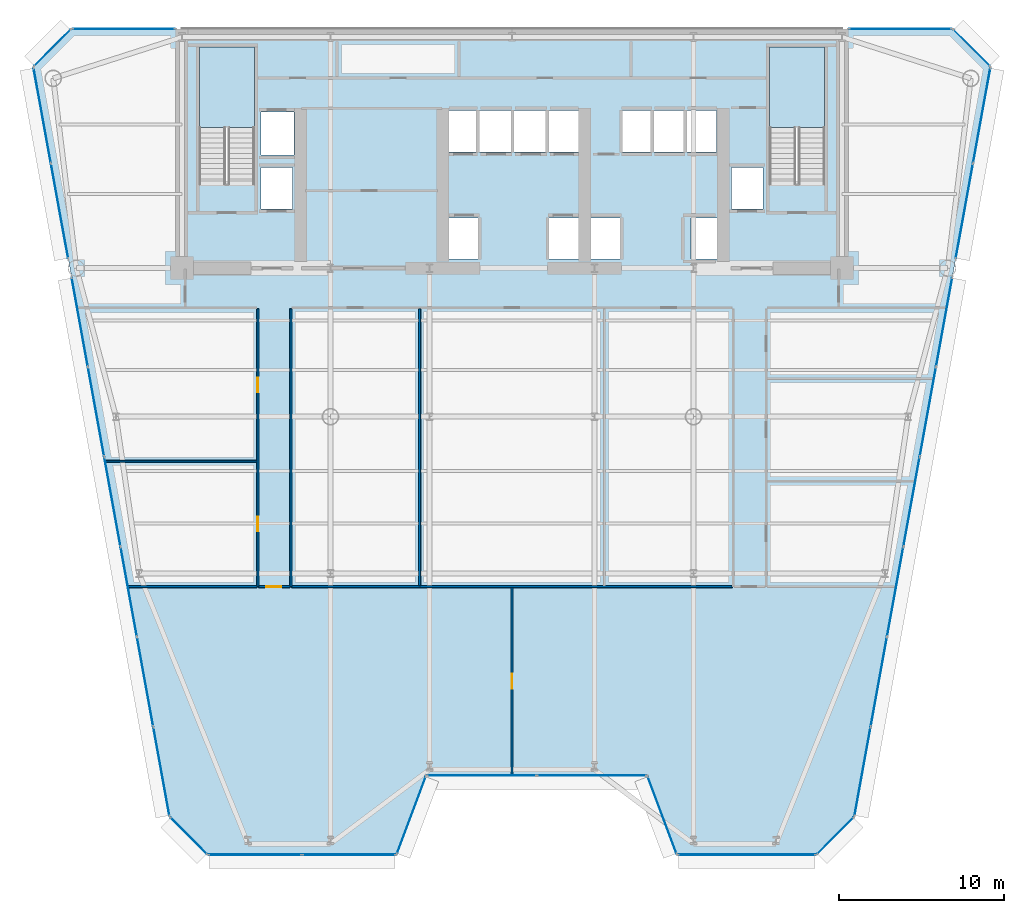
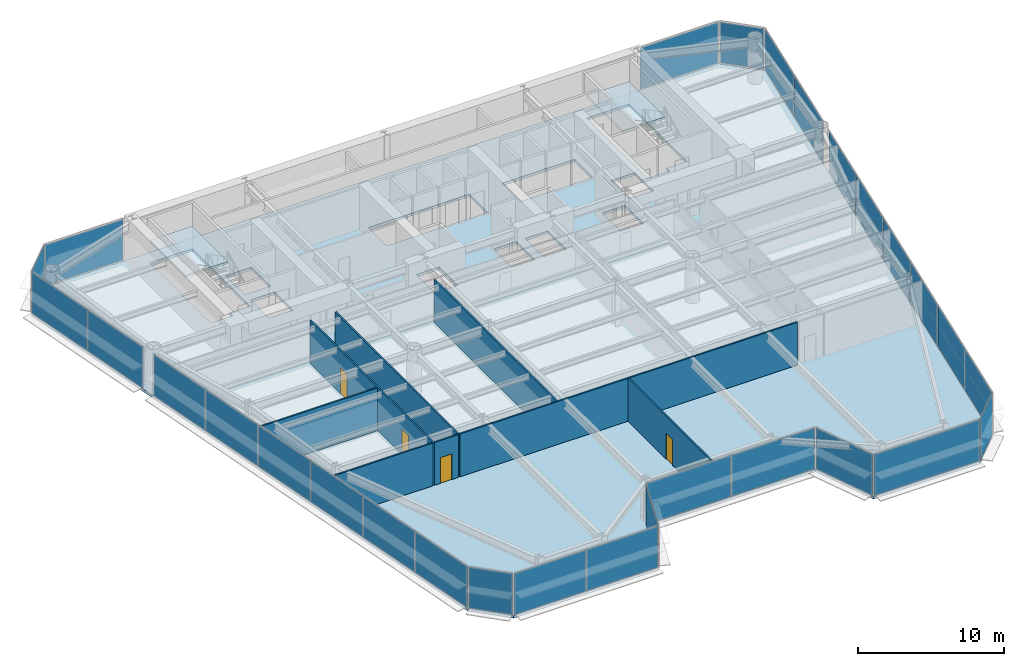
# One storey, part 7 of 14: 29 plates, 8 walls, 4 doors, 3 slabs, 4 openings, 17 elements without a shape of their own.
"""IFC4 building model written with IfcOpenShell, lengths in metres."""

from ifc_helpers import new_model, si_unit, direction, frame, frame_2d, origin, origin_2d, place, context, subcontext, project, spatial, polyline, rectangle, outline, extrude, source, transform, mapped, material, layer, layer_set, type_object, element, fill, aggregate, save


model = new_model("IFC4")

# Units and contexts
model_context = context("Model", 3, precision=1e-05, world=origin(), true_north=direction((0.0, 1.0)))
body_context = subcontext(model_context, "Body", "Model", "MODEL_VIEW")
ifc_project = project(units=[si_unit("LENGTHUNIT", "METRE"), si_unit("AREAUNIT", "SQUARE_METRE"), si_unit("VOLUMEUNIT", "CUBIC_METRE"), si_unit("PLANEANGLEUNIT", "RADIAN"), si_unit("MASSUNIT", "GRAM", prefix="KILO")], contexts=[model_context])

# Site, building, storey
site_placement = place(None, origin())
site = spatial("IfcSite", under=ifc_project, at=site_placement, CompositionType="ELEMENT")
building_placement = place(site_placement, origin())
building = spatial("IfcBuilding", under=site, at=building_placement, Name="Vaeldorn Concourse Tower", CompositionType="ELEMENT")
storey_placement = place(building_placement, frame((0.0, 0.0, 130.0)))
storey = spatial("IfcBuildingStorey", under=building, at=storey_placement, Name="L33", CompositionType="ELEMENT", Elevation=130.0)

# Stair, slab
ifc_material_1 = material(Name="Precast concrete C40/50", Category="concrete")
stair_type = type_object("IfcStairType", Name="STR-DOG-24x158", PredefinedType="HALF_TURN_STAIR", material=ifc_material_1)
stair_1_placement = place(storey_placement, origin())
stair_1 = element("IfcStair", 1, at=stair_1_placement, inside=storey, type_object=stair_type, Name="L33 West Core Exit Stair ST-1", PredefinedType="HALF_TURN_STAIR")
ifc_material_2 = material(Name="Concrete C40/50", Category="concrete")
ifc_layer_1 = layer(ifc_material_2, 0.199951171875)
ifc_layer_set_1 = layer_set([ifc_layer_1], Name="Concrete C40/50")
slab_type_1 = type_object("IfcSlabType", Name="SL-STAIR-LANDING", PredefinedType="LANDING", material=ifc_layer_set_1)
slab_1_placement = place(storey_placement, frame((0.0, 0.0, 1.699951171875)))
slab_1 = element("IfcSlab", 2, at=slab_1_placement, type_object=slab_type_1, Name="ST-1 landing 1", PredefinedType="LANDING", context=body_context, shape_type="SweptSolid", body=[
    extrude(outline(polyline([(18.39990234375, 45.010009765625), (18.39990234375, 49.89990234375), (15.050048828125, 49.89990234375), (15.050048828125, 45.010009765625), (18.39990234375, 45.010009765625)])), origin(), (0.0, 0.0, 1.0), 0.199951171875),
])
aggregate(stair_1, [slab_1])

stair_2_placement = place(storey_placement, origin())
stair_2 = element("IfcStair", 3, at=stair_2_placement, inside=storey, type_object=stair_type, Name="L33 East Core Exit Stair ST-2", PredefinedType="HALF_TURN_STAIR")
slab_2_placement = place(storey_placement, frame((0.0, 0.0, 1.699951171875)))
slab_2 = element("IfcSlab", 4, at=slab_2_placement, type_object=slab_type_1, Name="ST-2 landing 1", PredefinedType="LANDING", context=body_context, shape_type="SweptSolid", body=[
    extrude(outline(polyline([(52.949951171875, 45.010009765625), (52.949951171875, 49.89990234375), (49.60009765625, 49.89990234375), (49.60009765625, 45.010009765625), (52.949951171875, 45.010009765625)])), origin(), (0.0, 0.0, 1.0), 0.199951171875),
])
aggregate(stair_2, [slab_2])

# Slab
ifc_layer_2 = layer(ifc_material_2, 0.219970703125)
ifc_layer_set_2 = layer_set([ifc_layer_2], Name="Concrete C40/50")
slab_type_2 = type_object("IfcSlabType", Name="SL-TYP-220", PredefinedType="FLOOR", material=ifc_layer_set_2)
slab_3_placement = place(storey_placement, frame((0.0, 0.0, -0.219970703125)))
element("IfcSlab", 5, at=slab_3_placement, inside=storey, type_object=slab_type_2, Name="Structural Floor Slab L33", PredefinedType="FLOOR", context=body_context, shape_type="SweptSolid", body=[
    extrude(outline(polyline([(15.55712890625, 0.956298828125), (27.0, 0.956298828125), (28.800048828125, 5.75634765625), (42.199951171875, 5.75634765625), (44.0, 0.956298828125), (52.44287109375, 0.956298828125), (54.742919921875, 3.25634765625), (63.0, 48.699951171875), (60.699951171875, 51.0), (7.300048828125, 51.0), (5.0, 48.699951171875), (13.257080078125, 3.25634765625), (15.55712890625, 0.956298828125)]), holes=[polyline([(18.39990234375, 42.0), (18.39990234375, 49.89990234375), (15.050048828125, 49.89990234375), (15.050048828125, 41.60009765625), (16.800048828125, 41.60009765625), (16.800048828125, 42.0), (18.39990234375, 42.0)]), polyline([(52.949951171875, 42.0), (52.949951171875, 49.89990234375), (49.60009765625, 49.89990234375), (49.60009765625, 41.60009765625), (51.35009765625, 41.60009765625), (51.35009765625, 42.0), (52.949951171875, 42.0)]), polyline([(30.14990234375, 37.050048828125), (31.949951171875, 37.050048828125), (31.949951171875, 39.550048828125), (30.14990234375, 39.550048828125), (30.14990234375, 37.050048828125)]), polyline([(36.25, 37.050048828125), (38.050048828125, 37.050048828125), (38.050048828125, 39.550048828125), (36.25, 39.550048828125), (36.25, 37.050048828125)]), polyline([(30.10009765625, 43.550048828125), (38.10009765625, 43.550048828125), (38.10009765625, 46.050048828125), (30.10009765625, 46.050048828125), (30.10009765625, 43.550048828125)]), polyline([(38.75, 37.050048828125), (40.550048828125, 37.050048828125), (40.550048828125, 39.550048828125), (38.75, 39.550048828125), (38.75, 37.050048828125)]), polyline([(44.85009765625, 37.050048828125), (46.64990234375, 37.050048828125), (46.64990234375, 39.550048828125), (44.85009765625, 39.550048828125), (44.85009765625, 37.050048828125)]), polyline([(40.699951171875, 43.550048828125), (46.39990234375, 43.550048828125), (46.39990234375, 46.050048828125), (40.699951171875, 46.050048828125), (40.699951171875, 43.550048828125)]), polyline([(18.800048828125, 43.35009765625), (20.800048828125, 43.35009765625), (20.800048828125, 45.949951171875), (18.800048828125, 45.949951171875), (18.800048828125, 43.35009765625)]), polyline([(18.800048828125, 40.10009765625), (20.699951171875, 40.10009765625), (20.699951171875, 42.60009765625), (18.800048828125, 42.60009765625), (18.800048828125, 40.10009765625)]), polyline([(47.300048828125, 40.10009765625), (49.199951171875, 40.10009765625), (49.199951171875, 42.60009765625), (47.300048828125, 42.60009765625), (47.300048828125, 40.10009765625)])]), origin(), (0.0, 0.0, 1.0), 0.219970703125),
])

# Curtain wall, plate
ifc_material_3 = material(Name="Anodised Bronze Aluminium", Category="aluminium")
ifc_layer_3 = layer(ifc_material_3, 0.199951171875)
ifc_layer_set_3 = layer_set([ifc_layer_3], Name="Anodised Bronze Aluminium")
curtain_wall_type = type_object("IfcCurtainWallType", Name="CW-SYS-02", PredefinedType="NOTDEFINED", material=ifc_layer_set_3)
curtain_wall_1_placement = place(storey_placement, origin())
curtain_wall_1 = element("IfcCurtainWall", 6, at=curtain_wall_1_placement, inside=storey, type_object=curtain_wall_type, Name="Unitised Curtain Wall CW-L33-E02-1", PredefinedType="NOTDEFINED")
ifc_material_4 = material(Name="Bronze Tinted Low-E Insulated Glass", Category="glass")
ifc_layer_4 = layer(ifc_material_4, 0.031982421875)
ifc_layer_set_4 = layer_set([ifc_layer_4], Name="Bronze Tinted Low-E Insulated Glass")
plate_type = type_object("IfcPlateType", Name="CWP-VISION-32", PredefinedType="CURTAIN_PANEL", material=ifc_layer_set_4)
shared_shape_1 = source(origin(), body_context, "Body", "SweptSolid", [
    extrude(rectangle(XDim=4.976318359375, YDim=0.031982421875, at=origin_2d()), origin(), (0.0, 0.0, 1.0), 3.429931640625),
])
plate_1_placement = place(storey_placement, frame((27.89990234375, 3.356201171875, 0.0751953125), z_axis=(0.0, 0.0, 1.0), x_axis=(0.351123441595, 0.936329177566, 0.0)))
plate_1 = element("IfcPlate", 7, at=plate_1_placement, type_object=plate_type, Name="CW-02 panel 1.1", PredefinedType="CURTAIN_PANEL", context=body_context, shape_type="MappedRepresentation", body=[
    mapped(shared_shape_1, transform((0.0, 0.0, 0.0), scale=1.0)),
])
aggregate(curtain_wall_1, [plate_1])

curtain_wall_2_placement = place(storey_placement, origin())
curtain_wall_2 = element("IfcCurtainWall", 8, at=curtain_wall_2_placement, inside=storey, type_object=curtain_wall_type, Name="Unitised Curtain Wall CW-L33-E04-1", PredefinedType="NOTDEFINED")
plate_2_placement = place(storey_placement, frame((43.10009765625, 3.356201171875, 0.0751953125), z_axis=(0.0, 0.0, 1.0), x_axis=(0.351123441595, -0.936329177566, 0.0)))
plate_2 = element("IfcPlate", 9, at=plate_2_placement, type_object=plate_type, Name="CW-02 panel 1.1", PredefinedType="CURTAIN_PANEL", context=body_context, shape_type="MappedRepresentation", body=[
    mapped(shared_shape_1, transform((0.0, 0.0, 0.0), scale=1.0)),
])
aggregate(curtain_wall_2, [plate_2])

# Curtain wall, plates
curtain_wall_3_placement = place(storey_placement, origin())
curtain_wall_3 = element("IfcCurtainWall", 10, at=curtain_wall_3_placement, inside=storey, type_object=curtain_wall_type, Name="Unitised Curtain Wall CW-L33-E03-1", PredefinedType="NOTDEFINED")
shared_shape_2 = source(origin(), body_context, "Body", "SweptSolid", [
    extrude(rectangle(XDim=6.58740234375, YDim=0.031982421875, at=origin_2d()), origin(), (0.0, 0.0, 1.0), 3.429931640625),
])
plate_3_placement = place(storey_placement, frame((32.168701171875, 5.75634765625, 0.0751953125), z_axis=(0.0, 0.0, 1.0), x_axis=(1.0, 0.0, 0.0)))
plate_3 = element("IfcPlate", 11, at=plate_3_placement, type_object=plate_type, Name="CW-02 panel 1.1", PredefinedType="CURTAIN_PANEL", context=body_context, shape_type="MappedRepresentation", body=[
    mapped(shared_shape_2, transform((0.0, 0.0, 0.0), scale=1.0)),
])
plate_4_placement = place(storey_placement, frame((38.831298828125, 5.75634765625, 0.0751953125), z_axis=(0.0, 0.0, 1.0), x_axis=(1.0, 0.0, 0.0)))
plate_4 = element("IfcPlate", 12, at=plate_4_placement, type_object=plate_type, Name="CW-02 panel 2.1", PredefinedType="CURTAIN_PANEL", context=body_context, shape_type="MappedRepresentation", body=[
    mapped(shared_shape_2, transform((0.0, 0.0, 0.0), scale=1.0)),
])
aggregate(curtain_wall_3, [plate_3, plate_4])

# Curtain wall, plate
curtain_wall_4_placement = place(storey_placement, origin())
curtain_wall_4 = element("IfcCurtainWall", 13, at=curtain_wall_4_placement, inside=storey, type_object=curtain_wall_type, Name="Unitised Curtain Wall CW-L33-E06-1", PredefinedType="NOTDEFINED")
shared_shape_3 = source(origin(), body_context, "Body", "SweptSolid", [
    extrude(rectangle(XDim=3.102783203125, YDim=0.031982421875, at=origin_2d()), origin(), (0.0, 0.0, 1.0), 3.429931640625),
])
plate_5_placement = place(storey_placement, frame((53.5927734375, 2.106201171875, 0.0751953125), z_axis=(0.0, 0.0, 1.0), x_axis=(0.707106781187, 0.707106781187, 0.0)))
plate_5 = element("IfcPlate", 14, at=plate_5_placement, type_object=plate_type, Name="CW-02 panel 1.1", PredefinedType="CURTAIN_PANEL", context=body_context, shape_type="MappedRepresentation", body=[
    mapped(shared_shape_3, transform((0.0, 0.0, 0.0), scale=1.0)),
])
aggregate(curtain_wall_4, [plate_5])

curtain_wall_5_placement = place(storey_placement, origin())
curtain_wall_5 = element("IfcCurtainWall", 15, at=curtain_wall_5_placement, inside=storey, type_object=curtain_wall_type, Name="Unitised Curtain Wall CW-L33-E08-1", PredefinedType="NOTDEFINED")
plate_6_placement = place(storey_placement, frame((61.85009765625, 49.85009765625, 0.0751953125), z_axis=(0.0, 0.0, 1.0), x_axis=(-0.707106781187, 0.707106781187, 0.0)))
plate_6 = element("IfcPlate", 16, at=plate_6_placement, type_object=plate_type, Name="CW-02 panel 1.1", PredefinedType="CURTAIN_PANEL", context=body_context, shape_type="MappedRepresentation", body=[
    mapped(shared_shape_3, transform((0.0, 0.0, 0.0), scale=1.0)),
])
aggregate(curtain_wall_5, [plate_6])

curtain_wall_6_placement = place(storey_placement, origin())
curtain_wall_6 = element("IfcCurtainWall", 17, at=curtain_wall_6_placement, inside=storey, type_object=curtain_wall_type, Name="Unitised Curtain Wall CW-L33-E10-1", PredefinedType="NOTDEFINED")
plate_7_placement = place(storey_placement, frame((6.14990234375, 49.85009765625, 0.0751953125), z_axis=(0.0, 0.0, 1.0), x_axis=(-0.707106781187, -0.707106781187, 0.0)))
plate_7 = element("IfcPlate", 18, at=plate_7_placement, type_object=plate_type, Name="CW-02 panel 1.1", PredefinedType="CURTAIN_PANEL", context=body_context, shape_type="MappedRepresentation", body=[
    mapped(shared_shape_3, transform((0.0, 0.0, 0.0), scale=1.0)),
])
aggregate(curtain_wall_6, [plate_7])

curtain_wall_7_placement = place(storey_placement, origin())
curtain_wall_7 = element("IfcCurtainWall", 19, at=curtain_wall_7_placement, inside=storey, type_object=curtain_wall_type, Name="Unitised Curtain Wall CW-L33-E12-1", PredefinedType="NOTDEFINED")
plate_8_placement = place(storey_placement, frame((14.4072265625, 2.106201171875, 0.0751953125), z_axis=(0.0, 0.0, 1.0), x_axis=(0.707106781187, -0.707106781187, 0.0)))
plate_8 = element("IfcPlate", 20, at=plate_8_placement, type_object=plate_type, Name="CW-02 panel 1.1", PredefinedType="CURTAIN_PANEL", context=body_context, shape_type="MappedRepresentation", body=[
    mapped(shared_shape_3, transform((0.0, 0.0, 0.0), scale=1.0)),
])
aggregate(curtain_wall_7, [plate_8])

# Curtain wall, plates
curtain_wall_8_placement = place(storey_placement, origin())
curtain_wall_8 = element("IfcCurtainWall", 21, at=curtain_wall_8_placement, inside=storey, type_object=curtain_wall_type, Name="Unitised Curtain Wall CW-L33-E01-1", PredefinedType="NOTDEFINED")
shared_shape_4 = source(origin(), body_context, "Body", "SweptSolid", [
    extrude(rectangle(XDim=5.60888671875, YDim=0.031982421875, at=origin_2d()), origin(), (0.0, 0.0, 1.0), 3.429931640625),
])
plate_9_placement = place(storey_placement, frame((18.436767578125, 0.956298828125, 0.0751953125), z_axis=(0.0, 0.0, 1.0), x_axis=(1.0, 0.0, 0.0)))
plate_9 = element("IfcPlate", 22, at=plate_9_placement, type_object=plate_type, Name="CW-02 panel 1.1", PredefinedType="CURTAIN_PANEL", context=body_context, shape_type="MappedRepresentation", body=[
    mapped(shared_shape_4, transform((0.0, 0.0, 0.0), scale=1.0)),
])
plate_10_placement = place(storey_placement, frame((24.12060546875, 0.956298828125, 0.0751953125), z_axis=(0.0, 0.0, 1.0), x_axis=(1.0, 0.0, 0.0)))
plate_10 = element("IfcPlate", 23, at=plate_10_placement, type_object=plate_type, Name="CW-02 panel 2.1", PredefinedType="CURTAIN_PANEL", context=body_context, shape_type="MappedRepresentation", body=[
    mapped(shared_shape_4, transform((0.0, 0.0, 0.0), scale=1.0)),
])
aggregate(curtain_wall_8, [plate_9, plate_10])

# Curtain wall, plate
curtain_wall_9_placement = place(storey_placement, origin())
curtain_wall_9 = element("IfcCurtainWall", 24, at=curtain_wall_9_placement, inside=storey, type_object=curtain_wall_type, Name="Unitised Curtain Wall CW-L33-E05-1", PredefinedType="NOTDEFINED")
shared_shape_5 = source(origin(), body_context, "Body", "SweptSolid", [
    extrude(rectangle(XDim=8.292724609375, YDim=0.031982421875, at=origin_2d()), origin(), (0.0, 0.0, 1.0), 3.429931640625),
])
plate_11_placement = place(storey_placement, frame((48.221435546875, 0.956298828125, 0.0751953125), z_axis=(0.0, 0.0, 1.0), x_axis=(1.0, 0.0, 0.0)))
plate_11 = element("IfcPlate", 25, at=plate_11_placement, type_object=plate_type, Name="CW-02 panel 1.1", PredefinedType="CURTAIN_PANEL", context=body_context, shape_type="MappedRepresentation", body=[
    mapped(shared_shape_5, transform((0.0, 0.0, 0.0), scale=1.0)),
])
aggregate(curtain_wall_9, [plate_11])

curtain_wall_10_placement = place(storey_placement, origin())
curtain_wall_10 = element("IfcCurtainWall", 26, at=curtain_wall_10_placement, inside=storey, type_object=curtain_wall_type, Name="Unitised Curtain Wall CW-L33-E09-1", PredefinedType="NOTDEFINED")
shared_shape_6 = source(origin(), body_context, "Body", "SweptSolid", [
    extrude(rectangle(XDim=6.179931640625, YDim=0.031982421875, at=origin_2d()), origin(), (0.0, 0.0, 1.0), 3.429931640625),
])
plate_12_placement = place(storey_placement, frame((57.534912109375, 51.0, 0.0751953125), z_axis=(0.0, 0.0, 1.0), x_axis=(-1.0, 0.0, 0.0)))
plate_12 = element("IfcPlate", 27, at=plate_12_placement, type_object=plate_type, Name="CW-02 panel 1.1", PredefinedType="CURTAIN_PANEL", context=body_context, shape_type="MappedRepresentation", body=[
    mapped(shared_shape_6, transform((0.0, 0.0, 0.0), scale=1.0)),
])
aggregate(curtain_wall_10, [plate_12])

curtain_wall_11_placement = place(storey_placement, origin())
curtain_wall_11 = element("IfcCurtainWall", 28, at=curtain_wall_11_placement, inside=storey, type_object=curtain_wall_type, Name="Unitised Curtain Wall CW-L33-E09-2", PredefinedType="NOTDEFINED")
plate_13_placement = place(storey_placement, frame((10.465087890625, 51.0, 0.0751953125), z_axis=(0.0, 0.0, 1.0), x_axis=(-1.0, 0.0, 0.0)))
plate_13 = element("IfcPlate", 29, at=plate_13_placement, type_object=plate_type, Name="CW-02 panel 1.1", PredefinedType="CURTAIN_PANEL", context=body_context, shape_type="MappedRepresentation", body=[
    mapped(shared_shape_6, transform((0.0, 0.0, 0.0), scale=1.0)),
])
aggregate(curtain_wall_11, [plate_13])

# Curtain wall, plates
curtain_wall_12_placement = place(storey_placement, origin())
curtain_wall_12 = element("IfcCurtainWall", 30, at=curtain_wall_12_placement, inside=storey, type_object=curtain_wall_type, Name="Unitised Curtain Wall CW-L33-E07-2", PredefinedType="NOTDEFINED")
shared_shape_7 = source(origin(), body_context, "Body", "SweptSolid", [
    extrude(rectangle(XDim=5.82421875, YDim=0.031982421875, at=origin_2d()), origin(), (0.0, 0.0, 1.0), 3.429931640625),
])
plate_14_placement = place(storey_placement, frame((61.411376953125, 39.95703125, 0.0751953125), z_axis=(0.0, 0.0, 1.0), x_axis=(0.178771298276, 0.983890655974, 0.0)))
plate_14 = element("IfcPlate", 31, at=plate_14_placement, type_object=plate_type, Name="CW-02 panel 1.1", PredefinedType="CURTAIN_PANEL", context=body_context, shape_type="MappedRepresentation", body=[
    mapped(shared_shape_7, transform((0.0, 0.0, 0.0), scale=1.0)),
])
plate_15_placement = place(storey_placement, frame((62.466064453125, 45.760986328125, 0.0751953125), z_axis=(0.0, 0.0, 1.0), x_axis=(0.178771298276, 0.983890655974, 0.0)))
plate_15 = element("IfcPlate", 32, at=plate_15_placement, type_object=plate_type, Name="CW-02 panel 2.1", PredefinedType="CURTAIN_PANEL", context=body_context, shape_type="MappedRepresentation", body=[
    mapped(shared_shape_7, transform((0.0, 0.0, 0.0), scale=1.0)),
])
aggregate(curtain_wall_12, [plate_14, plate_15])

curtain_wall_13_placement = place(storey_placement, origin())
curtain_wall_13 = element("IfcCurtainWall", 33, at=curtain_wall_13_placement, inside=storey, type_object=curtain_wall_type, Name="Unitised Curtain Wall CW-L33-E11-1", PredefinedType="NOTDEFINED")
plate_16_placement = place(storey_placement, frame((5.533935546875, 45.760986328125, 0.0751953125), z_axis=(0.0, 0.0, 1.0), x_axis=(0.178771298276, -0.983890655974, 0.0)))
plate_16 = element("IfcPlate", 34, at=plate_16_placement, type_object=plate_type, Name="CW-02 panel 1.1", PredefinedType="CURTAIN_PANEL", context=body_context, shape_type="MappedRepresentation", body=[
    mapped(shared_shape_7, transform((0.0, 0.0, 0.0), scale=1.0)),
])
plate_17_placement = place(storey_placement, frame((6.588623046875, 39.95703125, 0.0751953125), z_axis=(0.0, 0.0, 1.0), x_axis=(0.178771298276, -0.983890655974, 0.0)))
plate_17 = element("IfcPlate", 35, at=plate_17_placement, type_object=plate_type, Name="CW-02 panel 2.1", PredefinedType="CURTAIN_PANEL", context=body_context, shape_type="MappedRepresentation", body=[
    mapped(shared_shape_7, transform((0.0, 0.0, 0.0), scale=1.0)),
])
aggregate(curtain_wall_13, [plate_16, plate_17])

curtain_wall_14_placement = place(storey_placement, origin())
curtain_wall_14 = element("IfcCurtainWall", 36, at=curtain_wall_14_placement, inside=storey, type_object=curtain_wall_type, Name="Unitised Curtain Wall CW-L33-E07-1", PredefinedType="NOTDEFINED")
shared_shape_8 = source(origin(), body_context, "Body", "SweptSolid", [
    extrude(rectangle(XDim=5.43115234375, YDim=0.031982421875, at=origin_2d()), origin(), (0.0, 0.0, 1.0), 3.429931640625),
])
plate_18_placement = place(storey_placement, frame((55.24169921875, 6.001953125, 0.0751953125), z_axis=(0.0, 0.0, 1.0), x_axis=(0.178774053149, 0.983890155414, 0.0)))
plate_18 = element("IfcPlate", 37, at=plate_18_placement, type_object=plate_type, Name="CW-02 panel 1.1", PredefinedType="CURTAIN_PANEL", context=body_context, shape_type="MappedRepresentation", body=[
    mapped(shared_shape_8, transform((0.0, 0.0, 0.0), scale=1.0)),
])
plate_19_placement = place(storey_placement, frame((60.190185546875, 33.236328125, 0.0751953125), z_axis=(0.0, 0.0, 1.0), x_axis=(0.178774053149, 0.983890155414, 0.0)))
plate_19 = element("IfcPlate", 38, at=plate_19_placement, type_object=plate_type, Name="CW-02 panel 6.1", PredefinedType="CURTAIN_PANEL", context=body_context, shape_type="MappedRepresentation", body=[
    mapped(shared_shape_8, transform((0.0, 0.0, 0.0), scale=1.0)),
])

curtain_wall_15_placement = place(storey_placement, origin())
curtain_wall_15 = element("IfcCurtainWall", 39, at=curtain_wall_15_placement, inside=storey, type_object=curtain_wall_type, Name="Unitised Curtain Wall CW-L33-E11-2", PredefinedType="NOTDEFINED")
plate_20_placement = place(storey_placement, frame((7.809814453125, 33.236328125, 0.0751953125), z_axis=(0.0, 0.0, 1.0), x_axis=(0.178774053149, -0.983890155414, 0.0)))
plate_20 = element("IfcPlate", 40, at=plate_20_placement, type_object=plate_type, Name="CW-02 panel 1.1", PredefinedType="CURTAIN_PANEL", context=body_context, shape_type="MappedRepresentation", body=[
    mapped(shared_shape_8, transform((0.0, 0.0, 0.0), scale=1.0)),
])
plate_21_placement = place(storey_placement, frame((12.75830078125, 6.001953125, 0.0751953125), z_axis=(0.0, 0.0, 1.0), x_axis=(0.178774053149, -0.983890155414, 0.0)))
plate_21 = element("IfcPlate", 41, at=plate_21_placement, type_object=plate_type, Name="CW-02 panel 6.1", PredefinedType="CURTAIN_PANEL", context=body_context, shape_type="MappedRepresentation", body=[
    mapped(shared_shape_8, transform((0.0, 0.0, 0.0), scale=1.0)),
])

# Plate
shared_shape_9 = source(origin(), body_context, "Body", "SweptSolid", [
    extrude(rectangle(XDim=5.468505859375, YDim=0.031982421875, at=origin_2d()), origin(), (0.0, 0.0, 1.0), 3.429931640625),
])
plate_22_placement = place(storey_placement, frame((56.2294921875, 11.437744140625, 0.0751953125), z_axis=(0.0, 0.0, 1.0), x_axis=(0.178774053149, 0.983890155414, 0.0)))
plate_22 = element("IfcPlate", 42, at=plate_22_placement, type_object=plate_type, Name="CW-02 panel 2.1", PredefinedType="CURTAIN_PANEL", context=body_context, shape_type="MappedRepresentation", body=[
    mapped(shared_shape_9, transform((0.0, 0.0, 0.0), scale=1.0)),
])

plate_23_placement = place(storey_placement, frame((57.220458984375, 16.89208984375, 0.0751953125), z_axis=(0.0, 0.0, 1.0), x_axis=(0.178774053149, 0.983890155414, 0.0)))
plate_23 = element("IfcPlate", 43, at=plate_23_placement, type_object=plate_type, Name="CW-02 panel 3.1", PredefinedType="CURTAIN_PANEL", context=body_context, shape_type="MappedRepresentation", body=[
    mapped(shared_shape_9, transform((0.0, 0.0, 0.0), scale=1.0)),
])

plate_24_placement = place(storey_placement, frame((58.21142578125, 22.34619140625, 0.0751953125), z_axis=(0.0, 0.0, 1.0), x_axis=(0.178774053149, 0.983890155414, 0.0)))
plate_24 = element("IfcPlate", 44, at=plate_24_placement, type_object=plate_type, Name="CW-02 panel 4.1", PredefinedType="CURTAIN_PANEL", context=body_context, shape_type="MappedRepresentation", body=[
    mapped(shared_shape_9, transform((0.0, 0.0, 0.0), scale=1.0)),
])

plate_25_placement = place(storey_placement, frame((59.20263671875, 27.800537109375, 0.0751953125), z_axis=(0.0, 0.0, 1.0), x_axis=(0.178774053149, 0.983890155414, 0.0)))
plate_25 = element("IfcPlate", 45, at=plate_25_placement, type_object=plate_type, Name="CW-02 panel 5.1", PredefinedType="CURTAIN_PANEL", context=body_context, shape_type="MappedRepresentation", body=[
    mapped(shared_shape_9, transform((0.0, 0.0, 0.0), scale=1.0)),
])

aggregate(curtain_wall_14, [plate_18, plate_22, plate_23, plate_24, plate_25, plate_19])

plate_26_placement = place(storey_placement, frame((8.79736328125, 27.800537109375, 0.0751953125), z_axis=(0.0, 0.0, 1.0), x_axis=(0.178774053149, -0.983890155414, 0.0)))
plate_26 = element("IfcPlate", 46, at=plate_26_placement, type_object=plate_type, Name="CW-02 panel 2.1", PredefinedType="CURTAIN_PANEL", context=body_context, shape_type="MappedRepresentation", body=[
    mapped(shared_shape_9, transform((0.0, 0.0, 0.0), scale=1.0)),
])

plate_27_placement = place(storey_placement, frame((9.78857421875, 22.34619140625, 0.0751953125), z_axis=(0.0, 0.0, 1.0), x_axis=(0.178774053149, -0.983890155414, 0.0)))
plate_27 = element("IfcPlate", 47, at=plate_27_placement, type_object=plate_type, Name="CW-02 panel 3.1", PredefinedType="CURTAIN_PANEL", context=body_context, shape_type="MappedRepresentation", body=[
    mapped(shared_shape_9, transform((0.0, 0.0, 0.0), scale=1.0)),
])

plate_28_placement = place(storey_placement, frame((10.779541015625, 16.89208984375, 0.0751953125), z_axis=(0.0, 0.0, 1.0), x_axis=(0.178774053149, -0.983890155414, 0.0)))
plate_28 = element("IfcPlate", 48, at=plate_28_placement, type_object=plate_type, Name="CW-02 panel 4.1", PredefinedType="CURTAIN_PANEL", context=body_context, shape_type="MappedRepresentation", body=[
    mapped(shared_shape_9, transform((0.0, 0.0, 0.0), scale=1.0)),
])

plate_29_placement = place(storey_placement, frame((11.7705078125, 11.437744140625, 0.0751953125), z_axis=(0.0, 0.0, 1.0), x_axis=(0.178774053149, -0.983890155414, 0.0)))
plate_29 = element("IfcPlate", 49, at=plate_29_placement, type_object=plate_type, Name="CW-02 panel 5.1", PredefinedType="CURTAIN_PANEL", context=body_context, shape_type="MappedRepresentation", body=[
    mapped(shared_shape_9, transform((0.0, 0.0, 0.0), scale=1.0)),
])

aggregate(curtain_wall_15, [plate_20, plate_26, plate_27, plate_28, plate_29, plate_21])

# Wall, openings, doors
ifc_material_5 = material(Name="Gypsum Board Partition", Category="gypsum")
ifc_layer_5 = layer(ifc_material_5, 0.1201171875)
ifc_layer_set_5 = layer_set([ifc_layer_5], Name="Gypsum Board Partition")
wall_type = type_object("IfcWallType", Name="WL-PART-120", PredefinedType="PARTITIONING", material=ifc_layer_set_5)
wall_1_placement = place(storey_placement, frame((18.60009765625, 17.199951171875, 0.0), z_axis=(0.0, 0.0, 1.0), x_axis=(0.0, 1.0, 0.0)))
wall_1 = element("IfcWall", 50, at=wall_1_placement, inside=storey, type_object=wall_type, Name="Interior Wall PW-L33-CWW", PredefinedType="PARTITIONING", context=body_context, shape_type="SweptSolid", body=[
    extrude(rectangle(XDim=16.840087890625, YDim=0.1201171875, at=frame_2d((8.419921875, 0.0))), origin(), (0.0, 0.0, 1.0), 3.580078125),
])
opening_1_placement = place(wall_1_placement, frame((3.35009765625, 0.0, 0.0)))
opening_1 = element("IfcOpeningElement", 51, at=opening_1_placement, cuts=wall_1, Name="Opening D-03", PredefinedType="OPENING", context=body_context, shape_type="SweptSolid", body=[
    extrude(rectangle(XDim=0.89990234375, YDim=2.14990234375, at=frame_2d((0.449951171875, 1.074951171875))), frame((0.0, 0.070068359375, 0.0), z_axis=(0.0, -1.0, 0.0), x_axis=(1.0, 0.0, 0.0)), (0.0, 0.0, 1.0), 0.14013671875),
])
opening_2_placement = place(wall_1_placement, frame((11.77001953125, 0.0, 0.0)))
opening_2 = element("IfcOpeningElement", 52, at=opening_2_placement, cuts=wall_1, Name="Opening D-03", PredefinedType="OPENING", context=body_context, shape_type="SweptSolid", body=[
    extrude(rectangle(XDim=0.89990234375, YDim=2.14990234375, at=frame_2d((0.449951171875, 1.074951171875))), frame((0.0, 0.070068359375, 0.0), z_axis=(0.0, -1.0, 0.0), x_axis=(1.0, 0.0, 0.0)), (0.0, 0.0, 1.0), 0.14013671875),
])
ifc_material_6 = material(Name="Acoustic Bronze-Framed Glass Door", Category="glass")
door_type = type_object("IfcDoorType", Name="DR-INT-900", OperationType="NOTDEFINED", PredefinedType="DOOR", material=ifc_material_6)
shared_shape_10 = source(origin(), body_context, "Body", "SweptSolid", [
    extrude(rectangle(XDim=0.89990234375, YDim=2.14990234375, at=frame_2d((0.449951171875, 1.074951171875))), frame((0.0, 0.02490234375, 0.0), z_axis=(0.0, -1.0, 0.0), x_axis=(1.0, 0.0, 0.0)), (0.0, 0.0, 1.0), 0.050048828125),
])
door_1_placement = place(opening_1_placement, origin())
door_1 = element("IfcDoor", 53, at=door_1_placement, inside=storey, type_object=door_type, Name="Interior Door DR-L33-W1", OperationType="SINGLE_SWING_LEFT", OverallHeight=2.14990234375, OverallWidth=0.89990234375, PredefinedType="DOOR", context=body_context, shape_type="MappedRepresentation", body=[
    mapped(shared_shape_10, transform((0.0, 0.0, 0.0), scale=1.0)),
])
fill(opening_1, door_1)
door_2_placement = place(opening_2_placement, origin())
door_2 = element("IfcDoor", 54, at=door_2_placement, inside=storey, type_object=door_type, Name="Interior Door DR-L33-W2", OperationType="SINGLE_SWING_RIGHT", OverallHeight=2.14990234375, OverallWidth=0.89990234375, PredefinedType="DOOR", context=body_context, shape_type="MappedRepresentation", body=[
    mapped(shared_shape_10, transform((0.0, 0.0, 0.0), scale=1.0)),
])
fill(opening_2, door_2)

# Wall
wall_2_placement = place(storey_placement, frame((20.60009765625, 17.199951171875, 0.0), z_axis=(0.0, 0.0, 1.0), x_axis=(0.0, 1.0, 0.0)))
element("IfcWall", 55, at=wall_2_placement, inside=storey, type_object=wall_type, Name="Interior Wall PW-L33-CWE", PredefinedType="PARTITIONING", context=body_context, shape_type="SweptSolid", body=[
    extrude(rectangle(XDim=16.840087890625, YDim=0.1201171875, at=frame_2d((8.419921875, 0.0))), origin(), (0.0, 0.0, 1.0), 3.580078125),
])

# Wall, opening, door
wall_3_placement = place(storey_placement, frame((18.659912109375, 17.199951171875, 0.0), z_axis=(0.0, 0.0, 1.0), x_axis=(1.0, 0.0, 0.0)))
wall_3 = element("IfcWall", 56, at=wall_3_placement, inside=storey, type_object=wall_type, Name="Interior Wall PW-L33-CWS", PredefinedType="PARTITIONING", context=body_context, shape_type="SweptSolid", body=[
    extrude(rectangle(XDim=1.880126953125, YDim=0.1201171875, at=frame_2d((0.93994140625, 0.0))), origin(), (0.0, 0.0, 1.0), 3.580078125),
])
opening_3_placement = place(wall_3_placement, frame((0.449951171875, 0.0, 0.0)))
opening_3 = element("IfcOpeningElement", 57, at=opening_3_placement, cuts=wall_3, Name="Opening D-03", PredefinedType="OPENING", context=body_context, shape_type="SweptSolid", body=[
    extrude(rectangle(XDim=0.89990234375, YDim=2.14990234375, at=frame_2d((0.449951171875, 1.074951171875))), frame((0.0, 0.070068359375, 0.0), z_axis=(0.0, -1.0, 0.0), x_axis=(1.0, 0.0, 0.0)), (0.0, 0.0, 1.0), 0.14013671875),
])
door_3_placement = place(opening_3_placement, origin())
door_3 = element("IfcDoor", 58, at=door_3_placement, inside=storey, type_object=door_type, Name="Interior Door DR-L33-SWL", OperationType="SINGLE_SWING_LEFT", OverallHeight=2.14990234375, OverallWidth=0.89990234375, PredefinedType="DOOR", context=body_context, shape_type="MappedRepresentation", body=[
    mapped(shared_shape_10, transform((0.0, 0.0, 0.0), scale=1.0)),
])
fill(opening_3, door_3)

# Walls
wall_4_placement = place(storey_placement, frame((10.763671875, 17.199951171875, 0.0), z_axis=(0.0, 0.0, 1.0), x_axis=(1.0, 0.0, 0.0)))
element("IfcWall", 59, at=wall_4_placement, inside=storey, type_object=wall_type, Name="Interior Wall PW-L33-WY0", PredefinedType="PARTITIONING", context=body_context, shape_type="SweptSolid", body=[
    extrude(rectangle(XDim=7.7763671875, YDim=0.1201171875, at=frame_2d((3.88818359375, 0.0))), origin(), (0.0, 0.0, 1.0), 3.580078125),
])
wall_5_placement = place(storey_placement, frame((9.3828125, 24.800048828125, 0.0), z_axis=(0.0, 0.0, 1.0), x_axis=(1.0, 0.0, 0.0)))
element("IfcWall", 60, at=wall_5_placement, inside=storey, type_object=wall_type, Name="Interior Wall PW-L33-WY1", PredefinedType="PARTITIONING", context=body_context, shape_type="SweptSolid", body=[
    extrude(rectangle(XDim=9.1572265625, YDim=0.1201171875, at=frame_2d((4.57861328125, 0.0))), origin(), (0.0, 0.0, 1.0), 3.580078125),
])
wall_6_placement = place(storey_placement, frame((20.659912109375, 17.199951171875, 0.0), z_axis=(0.0, 0.0, 1.0), x_axis=(1.0, 0.0, 0.0)))
element("IfcWall", 61, at=wall_6_placement, inside=storey, type_object=wall_type, Name="Interior Wall PW-L33-HUBS", PredefinedType="PARTITIONING", context=body_context, shape_type="SweptSolid", body=[
    extrude(rectangle(XDim=26.68017578125, YDim=0.1201171875, at=frame_2d((13.340087890625, 0.0))), origin(), (0.0, 0.0, 1.0), 3.580078125),
])
wall_7_placement = place(storey_placement, frame((28.39990234375, 17.260009765625, 0.0), z_axis=(0.0, 0.0, 1.0), x_axis=(0.0, 1.0, 0.0)))
element("IfcWall", 62, at=wall_7_placement, inside=storey, type_object=wall_type, Name="Interior Wall PW-L33-HX1", PredefinedType="PARTITIONING", context=body_context, shape_type="SweptSolid", body=[
    extrude(rectangle(XDim=16.780029296875, YDim=0.1201171875, at=frame_2d((8.39013671875, 0.0))), origin(), (0.0, 0.0, 1.0), 3.580078125),
])

# Wall, opening, door
wall_8_placement = place(storey_placement, frame((34.0, 5.79638671875, 0.0), z_axis=(0.0, 0.0, 1.0), x_axis=(0.0, 1.0, 0.0)))
wall_8 = element("IfcWall", 63, at=wall_8_placement, inside=storey, type_object=wall_type, Name="Interior Wall PW-L33-SMID1", PredefinedType="PARTITIONING", context=body_context, shape_type="SweptSolid", body=[
    extrude(rectangle(XDim=11.343505859375, YDim=0.1201171875, at=frame_2d((5.671875, 0.0))), origin(), (0.0, 0.0, 1.0), 3.580078125),
])
opening_4_placement = place(wall_8_placement, frame((5.221923828125, 0.0, 0.0)))
opening_4 = element("IfcOpeningElement", 64, at=opening_4_placement, cuts=wall_8, Name="Opening D-03", PredefinedType="OPENING", context=body_context, shape_type="SweptSolid", body=[
    extrude(rectangle(XDim=0.89990234375, YDim=2.14990234375, at=frame_2d((0.449951171875, 1.074951171875))), frame((0.0, 0.070068359375, 0.0), z_axis=(0.0, -1.0, 0.0), x_axis=(1.0, 0.0, 0.0)), (0.0, 0.0, 1.0), 0.14013671875),
])
door_4_placement = place(opening_4_placement, origin())
door_4 = element("IfcDoor", 65, at=door_4_placement, inside=storey, type_object=door_type, Name="Interior Door DR-L33-SMID1", OperationType="SINGLE_SWING_RIGHT", OverallHeight=2.14990234375, OverallWidth=0.89990234375, PredefinedType="DOOR", context=body_context, shape_type="MappedRepresentation", body=[
    mapped(shared_shape_10, transform((0.0, 0.0, 0.0), scale=1.0)),
])
fill(opening_4, door_4)

save(model, "model.ifc")
